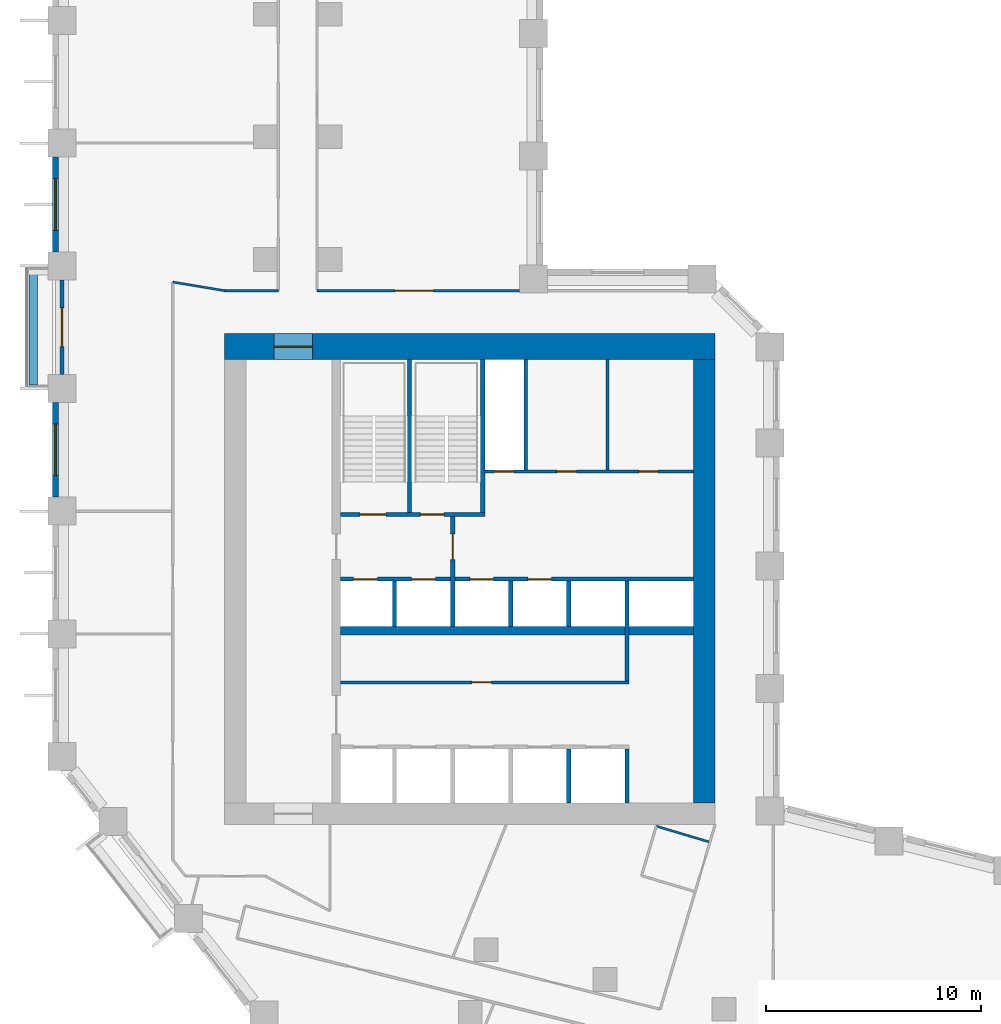
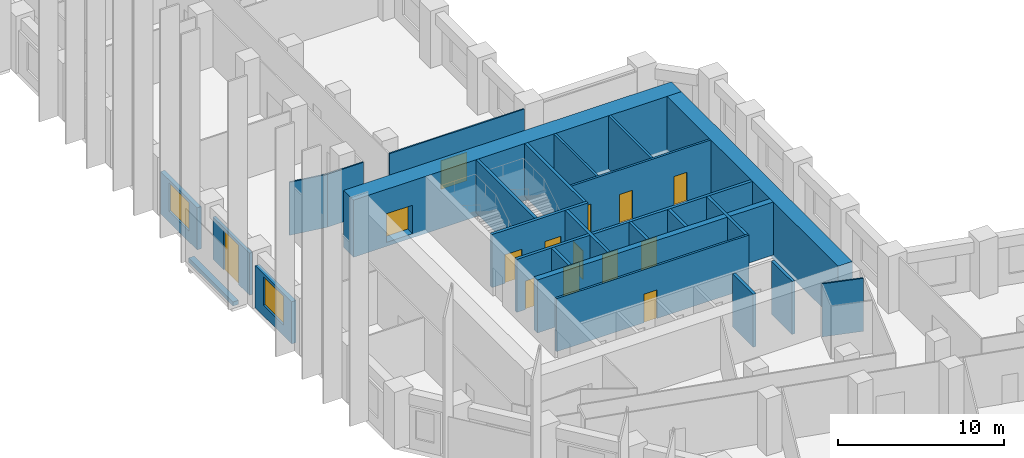
# One storey, part 5 of 10: 26 walls, 14 doors, 2 windows, 16 openings.
"""IFC4 building model written with IfcOpenShell, lengths in metres."""

from ifc_helpers import new_model, si_unit, direction, frame, frame_2d, origin, place, context, subcontext, project, spatial, rectangle, extrude, material, layer, layer_set, type_object, element, fill, save


model = new_model("IFC4")

# Units and contexts
model_context = context("Model", 3, precision=1e-05, world=origin(), true_north=direction((0.0, 1.0)))
body_context = subcontext(model_context, "Body", "Model", "MODEL_VIEW")
ifc_project = project(units=[si_unit("LENGTHUNIT", "METRE"), si_unit("AREAUNIT", "SQUARE_METRE"), si_unit("VOLUMEUNIT", "CUBIC_METRE"), si_unit("PLANEANGLEUNIT", "RADIAN"), si_unit("MASSUNIT", "GRAM", prefix="KILO")], contexts=[model_context])

# Site, building, storey
site_placement = place(None, origin())
site = spatial("IfcSite", under=ifc_project, at=site_placement, CompositionType="ELEMENT")
building_placement = place(site_placement, origin())
building = spatial("IfcBuilding", under=site, at=building_placement, Name="Meshkara Civic Tower", CompositionType="ELEMENT")
storey_placement = place(building_placement, frame((0.0, 0.0, 130.800048828125)))
storey = spatial("IfcBuildingStorey", under=building, at=storey_placement, Name="L29", CompositionType="ELEMENT", Elevation=130.800048828125)

# Wall, opening, door
ifc_material_1 = material(Name="Blockwork", Category="masonry")
ifc_layer_1 = layer(ifc_material_1, 0.14990234375)
ifc_layer_set_1 = layer_set([ifc_layer_1], Name="Core partition 150")
wall_type_1 = type_object("IfcWallType", Name="Core partition 150", PredefinedType="PARTITIONING", material=ifc_layer_set_1)
wall_1_placement = place(storey_placement, frame((13.39990234375, 20.699951171875, 0.0), z_axis=(0.0, 0.0, 1.0), x_axis=(1.0, 0.0, 0.0)))
wall_1 = element("IfcWall", 1, at=wall_1_placement, inside=storey, type_object=wall_type_1, Name="L29-C006", PredefinedType="PARTITIONING", context=body_context, shape_type="SweptSolid", body=[
    extrude(rectangle(XDim=13.400146484375, YDim=0.14990234375, at=frame_2d((6.7001953125, 0.0))), origin(), (0.0, 0.0, 1.0), 3.89990234375),
])
opening_1_placement = place(wall_1_placement, frame((6.10009765625, 0.0, 0.0)))
opening_1 = element("IfcOpeningElement", 2, at=opening_1_placement, cuts=wall_1, Name="Opening L29-K010", PredefinedType="OPENING", context=body_context, shape_type="SweptSolid", body=[
    extrude(rectangle(XDim=0.89990234375, YDim=2.10009765625, at=frame_2d((0.449951171875, 1.050048828125))), frame((0.0, 0.0849609375, 0.0), z_axis=(0.0, -1.0, 0.0), x_axis=(1.0, 0.0, 0.0)), (0.0, 0.0, 1.0), 0.169921875),
])
ifc_material_2 = material(Name="Timber door leaf in steel frame", Category="steel")
door_type_1 = type_object("IfcDoorType", Name="Core room door 900", OperationType="SINGLE_SWING_LEFT", PredefinedType="DOOR", material=ifc_material_2)
door_1_placement = place(opening_1_placement, origin())
door_1 = element("IfcDoor", 3, at=door_1_placement, inside=storey, type_object=door_type_1, Name="L29-K010", OperationType="SINGLE_SWING_RIGHT", OverallHeight=2.10009765625, OverallWidth=0.89990234375, PredefinedType="DOOR", context=body_context, shape_type="SweptSolid", body=[
    extrude(rectangle(XDim=0.89990234375, YDim=2.10009765625, at=frame_2d((0.449951171875, 1.050048828125))), frame((0.0, 0.02490234375, 0.0), z_axis=(0.0, -1.0, 0.0), x_axis=(1.0, 0.0, 0.0)), (0.0, 0.0, 1.0), 0.050048828125),
])
fill(opening_1, door_1)

# Wall, openings, doors
wall_2_placement = place(storey_placement, frame((20.10009765625, 30.5, 0.0), z_axis=(0.0, 0.0, 1.0), x_axis=(1.0, 0.0, 0.0)))
wall_2 = element("IfcWall", 4, at=wall_2_placement, inside=storey, type_object=wall_type_1, Name="L29-C010", PredefinedType="PARTITIONING", context=body_context, shape_type="SweptSolid", body=[
    extrude(rectangle(XDim=9.699951171875, YDim=0.14990234375, at=frame_2d((4.85009765625, 0.0))), origin(), (0.0, 0.0, 1.0), 3.89990234375),
])
opening_2_placement = place(wall_2_placement, frame((0.449951171875, 0.0, 0.0)))
opening_2 = element("IfcOpeningElement", 5, at=opening_2_placement, cuts=wall_2, Name="Opening L29-K011", PredefinedType="OPENING", context=body_context, shape_type="SweptSolid", body=[
    extrude(rectangle(XDim=0.89990234375, YDim=2.10009765625, at=frame_2d((0.449951171875, 1.050048828125))), frame((0.0, 0.0849609375, 0.0), z_axis=(0.0, -1.0, 0.0), x_axis=(1.0, 0.0, 0.0)), (0.0, 0.0, 1.0), 0.169921875),
])
opening_3_placement = place(wall_2_placement, frame((3.35009765625, 0.0, 0.0)))
opening_3 = element("IfcOpeningElement", 6, at=opening_3_placement, cuts=wall_2, Name="Opening L29-K012", PredefinedType="OPENING", context=body_context, shape_type="SweptSolid", body=[
    extrude(rectangle(XDim=0.89990234375, YDim=2.10009765625, at=frame_2d((0.449951171875, 1.050048828125))), frame((0.0, 0.0849609375, 0.0), z_axis=(0.0, -1.0, 0.0), x_axis=(1.0, 0.0, 0.0)), (0.0, 0.0, 1.0), 0.169921875),
])
opening_4_placement = place(wall_2_placement, frame((7.14990234375, 0.0, 0.0)))
opening_4 = element("IfcOpeningElement", 7, at=opening_4_placement, cuts=wall_2, Name="Opening L29-K013", PredefinedType="OPENING", context=body_context, shape_type="SweptSolid", body=[
    extrude(rectangle(XDim=0.89990234375, YDim=2.10009765625, at=frame_2d((0.449951171875, 1.050048828125))), frame((0.0, 0.0849609375, 0.0), z_axis=(0.0, -1.0, 0.0), x_axis=(1.0, 0.0, 0.0)), (0.0, 0.0, 1.0), 0.169921875),
])
door_2_placement = place(opening_3_placement, origin())
door_2 = element("IfcDoor", 8, at=door_2_placement, inside=storey, type_object=door_type_1, Name="L29-K012", OperationType="SINGLE_SWING_RIGHT", OverallHeight=2.10009765625, OverallWidth=0.89990234375, PredefinedType="DOOR", context=body_context, shape_type="SweptSolid", body=[
    extrude(rectangle(XDim=0.89990234375, YDim=2.10009765625, at=frame_2d((0.449951171875, 1.050048828125))), frame((0.0, 0.02490234375, 0.0), z_axis=(0.0, -1.0, 0.0), x_axis=(1.0, 0.0, 0.0)), (0.0, 0.0, 1.0), 0.050048828125),
])
fill(opening_3, door_2)
ifc_material_3 = material(Name="Fire-rated door leaf in steel frame", Category="steel")
door_type_2 = type_object("IfcDoorType", Name="Riser door 900", OperationType="SINGLE_SWING_LEFT", PredefinedType="DOOR", material=ifc_material_3)
door_3_placement = place(opening_2_placement, origin())
door_3 = element("IfcDoor", 9, at=door_3_placement, inside=storey, type_object=door_type_2, Name="L29-K011", OperationType="SINGLE_SWING_RIGHT", OverallHeight=2.10009765625, OverallWidth=0.89990234375, PredefinedType="DOOR", context=body_context, shape_type="SweptSolid", body=[
    extrude(rectangle(XDim=0.89990234375, YDim=2.10009765625, at=frame_2d((0.449951171875, 1.050048828125))), frame((0.0, 0.02490234375, 0.0), z_axis=(0.0, -1.0, 0.0), x_axis=(1.0, 0.0, 0.0)), (0.0, 0.0, 1.0), 0.050048828125),
])
fill(opening_2, door_3)
ifc_material_4 = material(Name="Timber door leaf in steel frame", Category="steel")
door_type_3 = type_object("IfcDoorType", Name="WC door 900", OperationType="SINGLE_SWING_LEFT", PredefinedType="DOOR", material=ifc_material_4)
door_4_placement = place(opening_4_placement, origin())
door_4 = element("IfcDoor", 10, at=door_4_placement, inside=storey, type_object=door_type_3, Name="L29-K013", OperationType="SINGLE_SWING_LEFT", OverallHeight=2.10009765625, OverallWidth=0.89990234375, PredefinedType="DOOR", context=body_context, shape_type="SweptSolid", body=[
    extrude(rectangle(XDim=0.89990234375, YDim=2.10009765625, at=frame_2d((0.449951171875, 1.050048828125))), frame((0.0, 0.02490234375, 0.0), z_axis=(0.0, -1.0, 0.0), x_axis=(1.0, 0.0, 0.0)), (0.0, 0.0, 1.0), 0.050048828125),
])
fill(opening_4, door_4)

# Walls
for number, where, z_axis, x_axis, name in (
    (11, (22.0, 30.574951171875, 0.0), (0.0, 0.0, 1.0), (0.0, 1.0, 0.0), "L29-C020"),
    (12, (25.800048828125, 30.574951171875, 0.0), (0.0, 0.0, 1.0), (0.0, 1.0, 0.0), "L29-C023"),
):
    element("IfcWall", number, at=place(storey_placement, frame(where, z_axis=z_axis, x_axis=x_axis)), inside=storey, type_object=wall_type_1, Name=name, PredefinedType="PARTITIONING", context=body_context, shape_type="SweptSolid", body=[
        extrude(rectangle(XDim=5.125, YDim=0.14990234375, at=frame_2d((2.5625, 0.0))), origin(), (0.0, 0.0, 1.0), 3.89990234375),
    ])
ifc_material_5 = material(Name="Concrete C70", Category="concrete")
ifc_layer_2 = layer(ifc_material_5, 1.0)
ifc_layer_set_2 = layer_set([ifc_layer_2], Name="Core ring wall 1000 C70")
wall_type_2 = type_object("IfcWallType", Name="Core ring wall 1000 C70", PredefinedType="SHEAR", material=ifc_layer_set_2)
wall_3_placement = place(storey_placement, frame((30.300048828125, 15.10009765625, -0.300048828125), z_axis=(0.0, 0.0, 1.0), x_axis=(0.0, 1.0, 0.0)))
element("IfcWall", 13, at=wall_3_placement, inside=storey, type_object=wall_type_2, Name="L29-C004", PredefinedType="SHEAR", context=body_context, shape_type="SweptSolid", body=[
    extrude(rectangle(XDim=20.599853515625, YDim=1.0, at=frame_2d((10.2998046875, 0.0))), origin(), (0.0, 0.0, 1.0), 4.199951171875),
])

# Wall, opening, door
ifc_material_6 = material(Name="Concrete C70", Category="concrete")
ifc_layer_3 = layer(ifc_material_6, 1.199951171875)
ifc_layer_set_3 = layer_set([ifc_layer_3], Name="Core ring wall 1200 C70")
wall_type_3 = type_object("IfcWallType", Name="Core ring wall 1200 C70", PredefinedType="SHEAR", material=ifc_layer_set_3)
wall_4_placement = place(storey_placement, frame((8.0, 36.300048828125, -0.300048828125), z_axis=(0.0, 0.0, 1.0), x_axis=(1.0, 0.0, 0.0)))
wall_4 = element("IfcWall", 14, at=wall_4_placement, inside=storey, type_object=wall_type_3, Name="L29-C002", PredefinedType="SHEAR", context=body_context, shape_type="SweptSolid", body=[
    extrude(rectangle(XDim=22.800048828125, YDim=1.199951171875, at=frame_2d((11.39990234375, 0.0))), origin(), (0.0, 0.0, 1.0), 4.199951171875),
])
opening_5_placement = place(wall_4_placement, frame((2.300048828125, 0.0, 0.300048828125)))
opening_5 = element("IfcOpeningElement", 15, at=opening_5_placement, cuts=wall_4, Name="Opening L29-K019", PredefinedType="OPENING", context=body_context, shape_type="SweptSolid", body=[
    extrude(rectangle(XDim=1.800048828125, YDim=2.10009765625, at=frame_2d((0.89990234375, 1.050048828125))), frame((0.0, 0.60986328125, 0.0), z_axis=(0.0, -1.0, 0.0), x_axis=(1.0, 0.0, 0.0)), (0.0, 0.0, 1.0), 1.219970703125),
])
ifc_material_7 = material(Name="Fire-rated door leaf in steel frame", Category="steel")
door_type_4 = type_object("IfcDoorType", Name="Core double door 1800 EI 60", OperationType="DOUBLE_DOOR_SINGLE_SWING", PredefinedType="DOOR", material=ifc_material_7)
door_5_placement = place(opening_5_placement, origin())
door_5 = element("IfcDoor", 16, at=door_5_placement, inside=storey, type_object=door_type_4, Name="L29-K019", OperationType="DOUBLE_DOOR_SINGLE_SWING", OverallHeight=2.10009765625, OverallWidth=1.800048828125, PredefinedType="DOOR", context=body_context, shape_type="SweptSolid", body=[
    extrude(rectangle(XDim=1.800048828125, YDim=2.10009765625, at=frame_2d((0.89990234375, 1.050048828125))), frame((0.0, 0.02490234375, 0.0), z_axis=(0.0, -1.0, 0.0), x_axis=(1.0, 0.0, 0.0)), (0.0, 0.0, 1.0), 0.050048828125),
])
fill(opening_5, door_5)

# Walls
ifc_material_8 = material(Name="Concrete C70", Category="concrete")
ifc_layer_4 = layer(ifc_material_8, 0.39990234375)
ifc_layer_set_4 = layer_set([ifc_layer_4], Name="Core shear wall 400 C70")
wall_type_4 = type_object("IfcWallType", Name="Core shear wall 400 C70", PredefinedType="SHEAR", material=ifc_layer_set_4)
wall_5_placement = place(storey_placement, frame((13.39990234375, 23.10009765625, 0.0), z_axis=(0.0, 0.0, 1.0), x_axis=(1.0, 0.0, 0.0)))
element("IfcWall", 17, at=wall_5_placement, inside=storey, type_object=wall_type_4, Name="L29-C007", PredefinedType="SHEAR", context=body_context, shape_type="SweptSolid", body=[
    extrude(rectangle(XDim=16.400146484375, YDim=0.39990234375, at=frame_2d((8.2001953125, 0.0))), origin(), (0.0, 0.0, 1.0), 3.89990234375),
])
ifc_material_9 = material(Name="Corridor wall 100")
ifc_layer_5 = layer(ifc_material_9, 0.10009765625)
ifc_layer_set_5 = layer_set([ifc_layer_5], Name="Corridor wall 100")
wall_type_5 = type_object("IfcWallType", Name="Corridor wall 100", PredefinedType="PARTITIONING", material=ifc_layer_set_5)
wall_6_placement = place(storey_placement, frame((8.0, 38.89990234375, 0.0), z_axis=(0.0, 0.0, 1.0), x_axis=(-0.986383073668, 0.16446407505, 0.0)))
element("IfcWall", 18, at=wall_6_placement, inside=storey, type_object=wall_type_5, Name="L29-W007", PredefinedType="PARTITIONING", context=body_context, shape_type="SweptSolid", body=[
    extrude(rectangle(XDim=2.43310546875, YDim=0.10009765625, at=frame_2d((1.216552734375, 0.0))), origin(), (0.0, 0.0, 1.0), 3.89990234375),
])
wall_7_placement = place(storey_placement, frame((10.5, 38.89990234375, 0.0), z_axis=(0.0, 0.0, 1.0), x_axis=(-1.0, 0.0, 0.0)))
element("IfcWall", 19, at=wall_7_placement, inside=storey, type_object=wall_type_5, Name="L29-W012", PredefinedType="PARTITIONING", context=body_context, shape_type="SweptSolid", body=[
    extrude(rectangle(XDim=2.5, YDim=0.10009765625, at=frame_2d((1.25, 0.0))), origin(), (0.0, 0.0, 1.0), 3.89990234375),
])

# Wall, opening, door
wall_8_placement = place(storey_placement, frame((21.699951171875, 38.89990234375, 0.0), z_axis=(0.0, 0.0, 1.0), x_axis=(-1.0, 0.0, 0.0)))
wall_8 = element("IfcWall", 20, at=wall_8_placement, inside=storey, type_object=wall_type_5, Name="L29-W019", PredefinedType="PARTITIONING", context=body_context, shape_type="SweptSolid", body=[
    extrude(rectangle(XDim=9.39990234375, YDim=0.10009765625, at=frame_2d((4.699951171875, 0.0))), origin(), (0.0, 0.0, 1.0), 3.89990234375),
])
opening_6_placement = place(wall_8_placement, frame((3.97998046875, 0.0, 0.0)))
opening_6 = element("IfcOpeningElement", 21, at=opening_6_placement, cuts=wall_8, Name="Opening L29-D019", PredefinedType="OPENING", context=body_context, shape_type="SweptSolid", body=[
    extrude(rectangle(XDim=1.800048828125, YDim=2.10009765625, at=frame_2d((0.89990234375, 1.050048828125))), frame((0.0, 0.06005859375, 0.0), z_axis=(0.0, -1.0, 0.0), x_axis=(1.0, 0.0, 0.0)), (0.0, 0.0, 1.0), 0.1201171875),
])
ifc_material_10 = material(Name="Door pair 1800 x 2100")
door_type_5 = type_object("IfcDoorType", Name="Door pair 1800 x 2100", OperationType="SINGLE_SWING_LEFT", PredefinedType="DOOR", material=ifc_material_10)
door_6_placement = place(opening_6_placement, origin())
door_6 = element("IfcDoor", 22, at=door_6_placement, inside=storey, type_object=door_type_5, Name="L29-D019", OperationType="DOUBLE_DOOR_SINGLE_SWING", OverallHeight=2.10009765625, OverallWidth=1.800048828125, PredefinedType="DOOR", context=body_context, shape_type="SweptSolid", body=[
    extrude(rectangle(XDim=1.800048828125, YDim=2.10009765625, at=frame_2d((0.89990234375, 1.050048828125))), frame((0.0, 0.02490234375, 0.0), z_axis=(0.0, -1.0, 0.0), x_axis=(1.0, 0.0, 0.0)), (0.0, 0.0, 1.0), 0.050048828125),
])
fill(opening_6, door_6)

# Wall, opening, window
ifc_material_11 = material(Name="Insulated infill panel with bronze anodised aluminium cladding", Category="aluminium")
ifc_layer_6 = layer(ifc_material_11, 0.300048828125)
ifc_layer_set_6 = layer_set([ifc_layer_6], Name="EXTERNAL INFILL WALL 300")
wall_type_6 = type_object("IfcWallType", Name="EXTERNAL INFILL WALL 300", PredefinedType="SOLIDWALL", material=ifc_layer_set_6)
wall_9_placement = place(storey_placement, frame((0.14990234375, 45.10498046875, 0.0), z_axis=(0.0, 0.0, 1.0), x_axis=(0.0, -1.0, 0.0)))
wall_9 = element("IfcWall", 23, at=wall_9_placement, inside=storey, type_object=wall_type_6, Name="External wall", PredefinedType="SOLIDWALL", context=body_context, shape_type="SweptSolid", body=[
    extrude(rectangle(XDim=4.39990234375, YDim=0.300048828125, at=frame_2d((2.199951171875, 0.0))), origin(), (0.0, 0.0, 1.0), 3.099853515625),
])
opening_7_placement = place(wall_9_placement, frame((1.0, 0.0, 0.800048828125)))
opening_7 = element("IfcOpeningElement", 24, at=opening_7_placement, cuts=wall_9, Name="Opening W7", PredefinedType="OPENING", context=body_context, shape_type="SweptSolid", body=[
    extrude(rectangle(XDim=2.39990234375, YDim=2.10009765625, at=frame_2d((1.199951171875, 1.050048828125))), frame((0.0, 0.159912109375, 0.0), z_axis=(0.0, -1.0, 0.0), x_axis=(1.0, 0.0, 0.0)), (0.0, 0.0, 1.0), 0.320068359375),
])
ifc_material_12 = material(Name="Tinted double glazing", Category="glass")
window_type = type_object("IfcWindowType", Name="WINDOW 2400x2100", PartitioningType="DOUBLE_PANEL_VERTICAL", PredefinedType="WINDOW", material=ifc_material_12)
window_1_placement = place(opening_7_placement, origin())
window_1 = element("IfcWindow", 25, at=window_1_placement, inside=storey, type_object=window_type, Name="Window", OverallHeight=2.10009765625, OverallWidth=2.39990234375, PartitioningType="DOUBLE_PANEL_VERTICAL", PredefinedType="WINDOW", context=body_context, shape_type="SweptSolid", body=[
    extrude(rectangle(XDim=2.39990234375, YDim=2.10009765625, at=frame_2d((1.199951171875, 1.050048828125))), frame((0.0, 0.030029296875, 0.0), z_axis=(0.0, -1.0, 0.0), x_axis=(1.0, 0.0, 0.0)), (0.0, 0.0, 1.0), 0.06005859375),
])
fill(opening_7, window_1)

wall_10_placement = place(storey_placement, frame((0.14990234375, 33.705078125, 0.0), z_axis=(0.0, 0.0, 1.0), x_axis=(0.0, -1.0, 0.0)))
wall_10 = element("IfcWall", 26, at=wall_10_placement, inside=storey, type_object=wall_type_6, Name="External wall", PredefinedType="SOLIDWALL", context=body_context, shape_type="SweptSolid", body=[
    extrude(rectangle(XDim=4.400146484375, YDim=0.300048828125, at=frame_2d((2.2001953125, 0.0))), origin(), (0.0, 0.0, 1.0), 3.099853515625),
])
opening_8_placement = place(wall_10_placement, frame((1.0, 0.0, 0.800048828125)))
opening_8 = element("IfcOpeningElement", 27, at=opening_8_placement, cuts=wall_10, Name="Opening W7", PredefinedType="OPENING", context=body_context, shape_type="SweptSolid", body=[
    extrude(rectangle(XDim=2.39990234375, YDim=2.10009765625, at=frame_2d((1.199951171875, 1.050048828125))), frame((0.0, 0.159912109375, 0.0), z_axis=(0.0, -1.0, 0.0), x_axis=(1.0, 0.0, 0.0)), (0.0, 0.0, 1.0), 0.320068359375),
])
window_2_placement = place(opening_8_placement, origin())
window_2 = element("IfcWindow", 28, at=window_2_placement, inside=storey, type_object=window_type, Name="Window", OverallHeight=2.10009765625, OverallWidth=2.39990234375, PartitioningType="DOUBLE_PANEL_VERTICAL", PredefinedType="WINDOW", context=body_context, shape_type="SweptSolid", body=[
    extrude(rectangle(XDim=2.39990234375, YDim=2.10009765625, at=frame_2d((1.199951171875, 1.050048828125))), frame((0.0, 0.030029296875, 0.0), z_axis=(0.0, -1.0, 0.0), x_axis=(1.0, 0.0, 0.0)), (0.0, 0.0, 1.0), 0.06005859375),
])
fill(opening_8, window_2)

# Wall, opening, door
ifc_material_13 = material(Name="Insulated infill panel with bronze anodised aluminium cladding", Category="aluminium")
ifc_layer_7 = layer(ifc_material_13, 0.199951171875)
ifc_layer_set_7 = layer_set([ifc_layer_7], Name="LOGGIA BACK WALL 200")
wall_type_7 = type_object("IfcWallType", Name="LOGGIA BACK WALL 200", PredefinedType="SOLIDWALL", material=ifc_layer_set_7)
wall_11_placement = place(storey_placement, frame((0.449951171875, 39.404052734375, 0.0), z_axis=(0.0, 0.0, 1.0), x_axis=(0.0, -1.0, 0.0)))
wall_11 = element("IfcWall", 29, at=wall_11_placement, inside=storey, type_object=wall_type_7, Name="Loggia wall", PredefinedType="SOLIDWALL", context=body_context, shape_type="SweptSolid", body=[
    extrude(rectangle(XDim=4.399169921875, YDim=0.199951171875, at=frame_2d((2.19970703125, 0.0))), origin(), (0.0, 0.0, 1.0), 3.099853515625),
])
opening_9_placement = place(wall_11_placement, frame((1.300048828125, 0.0, 0.0)))
opening_9 = element("IfcOpeningElement", 30, at=opening_9_placement, cuts=wall_11, Name="Opening L29-L002", PredefinedType="OPENING", context=body_context, shape_type="SweptSolid", body=[
    extrude(rectangle(XDim=1.800048828125, YDim=2.89990234375, at=frame_2d((0.89990234375, 1.449951171875))), frame((0.0, 0.10986328125, 0.0), z_axis=(0.0, -1.0, 0.0), x_axis=(1.0, 0.0, 0.0)), (0.0, 0.0, 1.0), 0.219970703125),
])
ifc_material_14 = material(Name="Tinted double glazing", Category="glass")
door_type_6 = type_object("IfcDoorType", Name="LOGGIA DOOR 1800x2900", OperationType="DOUBLE_DOOR_SINGLE_SWING", PredefinedType="DOOR", material=ifc_material_14)
door_7_placement = place(opening_9_placement, origin())
door_7 = element("IfcDoor", 31, at=door_7_placement, inside=storey, type_object=door_type_6, Name="L29-L002", OperationType="DOUBLE_DOOR_SINGLE_SWING", OverallHeight=2.89990234375, OverallWidth=1.800048828125, PredefinedType="DOOR", context=body_context, shape_type="SweptSolid", body=[
    extrude(rectangle(XDim=1.800048828125, YDim=2.89990234375, at=frame_2d((0.89990234375, 1.449951171875))), frame((0.0, 0.02490234375, 0.0), z_axis=(0.0, -1.0, 0.0), x_axis=(1.0, 0.0, 0.0)), (0.0, 0.0, 1.0), 0.050048828125),
])
fill(opening_9, door_7)

# Walls
ifc_material_15 = material(Name="Concrete C40", Category="concrete")
ifc_layer_8 = layer(ifc_material_15, 0.39990234375)
ifc_layer_set_8 = layer_set([ifc_layer_8], Name="PLANTER TRAY")
wall_type_8 = type_object("IfcWallType", Name="PLANTER TRAY", PredefinedType="SOLIDWALL", material=ifc_layer_set_8)
wall_12_placement = place(storey_placement, frame((-0.8798828125, 39.885009765625, 0.0), z_axis=(0.0, 0.0, 1.0), x_axis=(0.0, -1.0, 0.0)))
element("IfcWall", 32, at=wall_12_placement, inside=storey, type_object=wall_type_8, Name="Planter", PredefinedType="SOLIDWALL", context=body_context, shape_type="SweptSolid", body=[
    extrude(rectangle(XDim=5.360107421875, YDim=0.39990234375, at=frame_2d((2.68017578125, 0.0))), origin(), (0.0, 0.0, 1.0), 0.300048828125),
])
ifc_material_16 = material(Name="Partition 100")
ifc_layer_9 = layer(ifc_material_16, 0.10009765625)
ifc_layer_set_9 = layer_set([ifc_layer_9], Name="Partition 100")
wall_type_9 = type_object("IfcWallType", Name="Partition 100", PredefinedType="PARTITIONING", material=ifc_layer_set_9)
wall_13_placement = place(storey_placement, frame((28.06298828125, 14.01904296875, 0.0), z_axis=(0.0, 0.0, 1.0), x_axis=(0.958521516937, -0.285020177478, 0.0)))
element("IfcWall", 33, at=wall_13_placement, inside=storey, type_object=wall_type_9, Name="L29-W045", PredefinedType="PARTITIONING", context=body_context, shape_type="SweptSolid", body=[
    extrude(rectangle(XDim=2.55078125, YDim=0.10009765625, at=frame_2d((1.275390625, 0.0))), origin(), (0.0, 0.0, 1.0), 3.89990234375),
])

# Wall, openings, doors
ifc_material_17 = material(Name="Concrete C40/50", Category="concrete")
ifc_layer_10 = layer(ifc_material_17, 0.199951171875)
ifc_layer_set_10 = layer_set([ifc_layer_10], Name="Shaft wall 200 C40/50")
wall_type_10 = type_object("IfcWallType", Name="Shaft wall 200 C40/50", PredefinedType="SOLIDWALL", material=ifc_layer_set_10)
wall_14_placement = place(storey_placement, frame((13.39990234375, 25.5, 0.0), z_axis=(0.0, 0.0, 1.0), x_axis=(1.0, 0.0, 0.0)))
wall_14 = element("IfcWall", 34, at=wall_14_placement, inside=storey, type_object=wall_type_10, Name="L29-C008", PredefinedType="SOLIDWALL", context=body_context, shape_type="SweptSolid", body=[
    extrude(rectangle(XDim=16.400146484375, YDim=0.199951171875, at=frame_2d((8.2001953125, 0.0))), origin(), (0.0, 0.0, 1.0), 3.89990234375),
])
opening_10_placement = place(wall_14_placement, frame((0.60009765625, 0.0, 0.0)))
opening_10 = element("IfcOpeningElement", 35, at=opening_10_placement, cuts=wall_14, Name="Opening L29-K006", PredefinedType="OPENING", context=body_context, shape_type="SweptSolid", body=[
    extrude(rectangle(XDim=1.10009765625, YDim=2.10009765625, at=frame_2d((0.550048828125, 1.050048828125))), frame((0.0, 0.10986328125, 0.0), z_axis=(0.0, -1.0, 0.0), x_axis=(1.0, 0.0, 0.0)), (0.0, 0.0, 1.0), 0.219970703125),
])
opening_11_placement = place(wall_14_placement, frame((3.300048828125, 0.0, 0.0)))
opening_11 = element("IfcOpeningElement", 36, at=opening_11_placement, cuts=wall_14, Name="Opening L29-K007", PredefinedType="OPENING", context=body_context, shape_type="SweptSolid", body=[
    extrude(rectangle(XDim=1.10009765625, YDim=2.10009765625, at=frame_2d((0.550048828125, 1.050048828125))), frame((0.0, 0.10986328125, 0.0), z_axis=(0.0, -1.0, 0.0), x_axis=(1.0, 0.0, 0.0)), (0.0, 0.0, 1.0), 0.219970703125),
])
opening_12_placement = place(wall_14_placement, frame((6.0, 0.0, 0.0)))
opening_12 = element("IfcOpeningElement", 37, at=opening_12_placement, cuts=wall_14, Name="Opening L29-K008", PredefinedType="OPENING", context=body_context, shape_type="SweptSolid", body=[
    extrude(rectangle(XDim=1.10009765625, YDim=2.10009765625, at=frame_2d((0.550048828125, 1.050048828125))), frame((0.0, 0.10986328125, 0.0), z_axis=(0.0, -1.0, 0.0), x_axis=(1.0, 0.0, 0.0)), (0.0, 0.0, 1.0), 0.219970703125),
])
opening_13_placement = place(wall_14_placement, frame((8.699951171875, 0.0, 0.0)))
opening_13 = element("IfcOpeningElement", 38, at=opening_13_placement, cuts=wall_14, Name="Opening L29-K009", PredefinedType="OPENING", context=body_context, shape_type="SweptSolid", body=[
    extrude(rectangle(XDim=1.10009765625, YDim=2.10009765625, at=frame_2d((0.550048828125, 1.050048828125))), frame((0.0, 0.10986328125, 0.0), z_axis=(0.0, -1.0, 0.0), x_axis=(1.0, 0.0, 0.0)), (0.0, 0.0, 1.0), 0.219970703125),
])
ifc_material_18 = material(Name="Stainless steel landing door", Category="steel")
door_type_7 = type_object("IfcDoorType", Name="Lift landing door 1100", OperationType="SLIDING_TO_LEFT", PredefinedType="DOOR", material=ifc_material_18)
door_8_placement = place(opening_10_placement, origin())
door_8 = element("IfcDoor", 39, at=door_8_placement, inside=storey, type_object=door_type_7, Name="L29-K006", OperationType="SLIDING_TO_LEFT", OverallHeight=2.10009765625, OverallWidth=1.10009765625, PredefinedType="DOOR", context=body_context, shape_type="SweptSolid", body=[
    extrude(rectangle(XDim=1.10009765625, YDim=2.10009765625, at=frame_2d((0.550048828125, 1.050048828125))), frame((0.0, 0.02490234375, 0.0), z_axis=(0.0, -1.0, 0.0), x_axis=(1.0, 0.0, 0.0)), (0.0, 0.0, 1.0), 0.050048828125),
])
fill(opening_10, door_8)
door_9_placement = place(opening_11_placement, origin())
door_9 = element("IfcDoor", 40, at=door_9_placement, inside=storey, type_object=door_type_7, Name="L29-K007", OperationType="SLIDING_TO_LEFT", OverallHeight=2.10009765625, OverallWidth=1.10009765625, PredefinedType="DOOR", context=body_context, shape_type="SweptSolid", body=[
    extrude(rectangle(XDim=1.10009765625, YDim=2.10009765625, at=frame_2d((0.550048828125, 1.050048828125))), frame((0.0, 0.02490234375, 0.0), z_axis=(0.0, -1.0, 0.0), x_axis=(1.0, 0.0, 0.0)), (0.0, 0.0, 1.0), 0.050048828125),
])
fill(opening_11, door_9)
door_10_placement = place(opening_12_placement, origin())
door_10 = element("IfcDoor", 41, at=door_10_placement, inside=storey, type_object=door_type_7, Name="L29-K008", OperationType="SLIDING_TO_LEFT", OverallHeight=2.10009765625, OverallWidth=1.10009765625, PredefinedType="DOOR", context=body_context, shape_type="SweptSolid", body=[
    extrude(rectangle(XDim=1.10009765625, YDim=2.10009765625, at=frame_2d((0.550048828125, 1.050048828125))), frame((0.0, 0.02490234375, 0.0), z_axis=(0.0, -1.0, 0.0), x_axis=(1.0, 0.0, 0.0)), (0.0, 0.0, 1.0), 0.050048828125),
])
fill(opening_12, door_10)
door_11_placement = place(opening_13_placement, origin())
door_11 = element("IfcDoor", 42, at=door_11_placement, inside=storey, type_object=door_type_7, Name="L29-K009", OperationType="SLIDING_TO_LEFT", OverallHeight=2.10009765625, OverallWidth=1.10009765625, PredefinedType="DOOR", context=body_context, shape_type="SweptSolid", body=[
    extrude(rectangle(XDim=1.10009765625, YDim=2.10009765625, at=frame_2d((0.550048828125, 1.050048828125))), frame((0.0, 0.02490234375, 0.0), z_axis=(0.0, -1.0, 0.0), x_axis=(1.0, 0.0, 0.0)), (0.0, 0.0, 1.0), 0.050048828125),
])
fill(opening_13, door_11)

# Wall
wall_15_placement = place(storey_placement, frame((15.89990234375, 23.300048828125, 0.0), z_axis=(0.0, 0.0, 1.0), x_axis=(0.0, 1.0, 0.0)))
element("IfcWall", 43, at=wall_15_placement, inside=storey, type_object=wall_type_10, Name="L29-C013", PredefinedType="SOLIDWALL", context=body_context, shape_type="SweptSolid", body=[
    extrude(rectangle(XDim=2.099853515625, YDim=0.199951171875, at=frame_2d((1.0498046875, 0.0))), origin(), (0.0, 0.0, 1.0), 3.89990234375),
])

# Wall, opening, door
wall_16_placement = place(storey_placement, frame((18.60009765625, 23.300048828125, 0.0), z_axis=(0.0, 0.0, 1.0), x_axis=(0.0, 1.0, 0.0)))
wall_16 = element("IfcWall", 44, at=wall_16_placement, inside=storey, type_object=wall_type_10, Name="L29-C016", PredefinedType="SOLIDWALL", context=body_context, shape_type="SweptSolid", body=[
    extrude(rectangle(XDim=5.099853515625, YDim=0.199951171875, at=frame_2d((2.5498046875, 0.0))), origin(), (0.0, 0.0, 1.0), 3.89990234375),
])
opening_14_placement = place(wall_16_placement, frame((3.10009765625, 0.0, 0.0)))
opening_14 = element("IfcOpeningElement", 45, at=opening_14_placement, cuts=wall_16, Name="Opening L29-K018", PredefinedType="OPENING", context=body_context, shape_type="SweptSolid", body=[
    extrude(rectangle(XDim=1.199951171875, YDim=2.10009765625, at=frame_2d((0.60009765625, 1.050048828125))), frame((0.0, 0.10986328125, 0.0), z_axis=(0.0, -1.0, 0.0), x_axis=(1.0, 0.0, 0.0)), (0.0, 0.0, 1.0), 0.219970703125),
])
ifc_material_19 = material(Name="Fire-rated door leaf in steel frame", Category="steel")
door_type_8 = type_object("IfcDoorType", Name="Fire-fighting lobby door 1200 EI 120", OperationType="SINGLE_SWING_LEFT", PredefinedType="DOOR", material=ifc_material_19)
door_12_placement = place(opening_14_placement, origin())
door_12 = element("IfcDoor", 46, at=door_12_placement, inside=storey, type_object=door_type_8, Name="L29-K018", OperationType="SINGLE_SWING_RIGHT", OverallHeight=2.10009765625, OverallWidth=1.199951171875, PredefinedType="DOOR", context=body_context, shape_type="SweptSolid", body=[
    extrude(rectangle(XDim=1.199951171875, YDim=2.10009765625, at=frame_2d((0.60009765625, 1.050048828125))), frame((0.0, 0.02490234375, 0.0), z_axis=(0.0, -1.0, 0.0), x_axis=(1.0, 0.0, 0.0)), (0.0, 0.0, 1.0), 0.050048828125),
])
fill(opening_14, door_12)

# Walls
wall_17_placement = place(storey_placement, frame((21.300048828125, 23.300048828125, 0.0), z_axis=(0.0, 0.0, 1.0), x_axis=(0.0, 1.0, 0.0)))
element("IfcWall", 47, at=wall_17_placement, inside=storey, type_object=wall_type_10, Name="L29-C019", PredefinedType="SOLIDWALL", context=body_context, shape_type="SweptSolid", body=[
    extrude(rectangle(XDim=2.099853515625, YDim=0.199951171875, at=frame_2d((1.0498046875, 0.0))), origin(), (0.0, 0.0, 1.0), 3.89990234375),
])
wall_18_placement = place(storey_placement, frame((24.0, 15.10009765625, 0.0), z_axis=(0.0, 0.0, 1.0), x_axis=(0.0, 1.0, 0.0)))
element("IfcWall", 48, at=wall_18_placement, inside=storey, type_object=wall_type_10, Name="L29-C021", PredefinedType="SOLIDWALL", context=body_context, shape_type="SweptSolid", body=[
    extrude(rectangle(XDim=2.5, YDim=0.199951171875, at=frame_2d((1.25, 0.0))), origin(), (0.0, 0.0, 1.0), 3.89990234375),
])
wall_19_placement = place(storey_placement, frame((24.0, 23.300048828125, 0.0), z_axis=(0.0, 0.0, 1.0), x_axis=(0.0, 1.0, 0.0)))
element("IfcWall", 49, at=wall_19_placement, inside=storey, type_object=wall_type_10, Name="L29-C022", PredefinedType="SOLIDWALL", context=body_context, shape_type="SweptSolid", body=[
    extrude(rectangle(XDim=2.099853515625, YDim=0.199951171875, at=frame_2d((1.0498046875, 0.0))), origin(), (0.0, 0.0, 1.0), 3.89990234375),
])
wall_20_placement = place(storey_placement, frame((26.699951171875, 15.10009765625, 0.0), z_axis=(0.0, 0.0, 1.0), x_axis=(0.0, 1.0, 0.0)))
element("IfcWall", 50, at=wall_20_placement, inside=storey, type_object=wall_type_10, Name="L29-C024", PredefinedType="SOLIDWALL", context=body_context, shape_type="SweptSolid", body=[
    extrude(rectangle(XDim=2.5, YDim=0.199951171875, at=frame_2d((1.25, 0.0))), origin(), (0.0, 0.0, 1.0), 3.89990234375),
])
wall_21_placement = place(storey_placement, frame((26.699951171875, 20.77490234375, 0.0), z_axis=(0.0, 0.0, 1.0), x_axis=(0.0, 1.0, 0.0)))
element("IfcWall", 51, at=wall_21_placement, inside=storey, type_object=wall_type_10, Name="L29-C025", PredefinedType="SOLIDWALL", context=body_context, shape_type="SweptSolid", body=[
    extrude(rectangle(XDim=4.625, YDim=0.199951171875, at=frame_2d((2.3125, 0.0))), origin(), (0.0, 0.0, 1.0), 3.89990234375),
])

# Wall, openings, doors
ifc_material_20 = material(Name="Concrete C40/50", Category="concrete")
ifc_layer_11 = layer(ifc_material_20, 0.199951171875)
ifc_layer_set_11 = layer_set([ifc_layer_11], Name="Stair enclosure wall 200 C40/50")
wall_type_11 = type_object("IfcWallType", Name="Stair enclosure wall 200 C40/50", PredefinedType="SOLIDWALL", material=ifc_layer_set_11)
wall_22_placement = place(storey_placement, frame((13.39990234375, 28.5, 0.0), z_axis=(0.0, 0.0, 1.0), x_axis=(1.0, 0.0, 0.0)))
wall_22 = element("IfcWall", 52, at=wall_22_placement, inside=storey, type_object=wall_type_11, Name="L29-C009", PredefinedType="SOLIDWALL", context=body_context, shape_type="SweptSolid", body=[
    extrude(rectangle(XDim=6.7001953125, YDim=0.199951171875, at=frame_2d((3.35009765625, 0.0))), origin(), (0.0, 0.0, 1.0), 3.89990234375),
])
opening_15_placement = place(wall_22_placement, frame((0.89990234375, 0.0, 0.0)))
opening_15 = element("IfcOpeningElement", 53, at=opening_15_placement, cuts=wall_22, Name="Opening L29-K014", PredefinedType="OPENING", context=body_context, shape_type="SweptSolid", body=[
    extrude(rectangle(XDim=1.199951171875, YDim=2.10009765625, at=frame_2d((0.60009765625, 1.050048828125))), frame((0.0, 0.10986328125, 0.0), z_axis=(0.0, -1.0, 0.0), x_axis=(1.0, 0.0, 0.0)), (0.0, 0.0, 1.0), 0.219970703125),
])
opening_16_placement = place(wall_22_placement, frame((3.699951171875, 0.0, 0.0)))
opening_16 = element("IfcOpeningElement", 54, at=opening_16_placement, cuts=wall_22, Name="Opening L29-K015", PredefinedType="OPENING", context=body_context, shape_type="SweptSolid", body=[
    extrude(rectangle(XDim=1.10009765625, YDim=2.10009765625, at=frame_2d((0.550048828125, 1.050048828125))), frame((0.0, 0.10986328125, 0.0), z_axis=(0.0, -1.0, 0.0), x_axis=(1.0, 0.0, 0.0)), (0.0, 0.0, 1.0), 0.219970703125),
])
ifc_material_21 = material(Name="Fire-rated door leaf in steel frame", Category="steel")
door_type_9 = type_object("IfcDoorType", Name="Stair door 1100 EI 120", OperationType="SINGLE_SWING_LEFT", PredefinedType="DOOR", material=ifc_material_21)
door_13_placement = place(opening_16_placement, origin())
door_13 = element("IfcDoor", 55, at=door_13_placement, inside=storey, type_object=door_type_9, Name="L29-K015", OperationType="SINGLE_SWING_LEFT", OverallHeight=2.10009765625, OverallWidth=1.10009765625, PredefinedType="DOOR", context=body_context, shape_type="SweptSolid", body=[
    extrude(rectangle(XDim=1.10009765625, YDim=2.10009765625, at=frame_2d((0.550048828125, 1.050048828125))), frame((0.0, 0.02490234375, 0.0), z_axis=(0.0, -1.0, 0.0), x_axis=(1.0, 0.0, 0.0)), (0.0, 0.0, 1.0), 0.050048828125),
])
fill(opening_16, door_13)
ifc_material_22 = material(Name="Fire-rated door leaf in steel frame", Category="steel")
door_type_10 = type_object("IfcDoorType", Name="Stair door 1200 EI 120", OperationType="SINGLE_SWING_LEFT", PredefinedType="DOOR", material=ifc_material_22)
door_14_placement = place(opening_15_placement, origin())
door_14 = element("IfcDoor", 56, at=door_14_placement, inside=storey, type_object=door_type_10, Name="L29-K014", OperationType="SINGLE_SWING_RIGHT", OverallHeight=2.10009765625, OverallWidth=1.199951171875, PredefinedType="DOOR", context=body_context, shape_type="SweptSolid", body=[
    extrude(rectangle(XDim=1.199951171875, YDim=2.10009765625, at=frame_2d((0.60009765625, 1.050048828125))), frame((0.0, 0.02490234375, 0.0), z_axis=(0.0, -1.0, 0.0), x_axis=(1.0, 0.0, 0.0)), (0.0, 0.0, 1.0), 0.050048828125),
])
fill(opening_15, door_14)

# Walls
for number, where, z_axis, x_axis, name in (
    (57, (16.60009765625, 28.60009765625, 0.0), (0.0, 0.0, 1.0), (0.0, 1.0, 0.0), "L29-C014"),
    (58, (20.0, 28.60009765625, 0.0), (0.0, 0.0, 1.0), (0.0, 1.0, 0.0), "L29-C017"),
):
    element("IfcWall", number, at=place(storey_placement, frame(where, z_axis=z_axis, x_axis=x_axis)), inside=storey, type_object=wall_type_11, Name=name, PredefinedType="SOLIDWALL", context=body_context, shape_type="SweptSolid", body=[
        extrude(rectangle(XDim=7.099853515625, YDim=0.199951171875, at=frame_2d((3.5498046875, 0.0))), origin(), (0.0, 0.0, 1.0), 3.89990234375),
    ])

save(model, "model.ifc")
